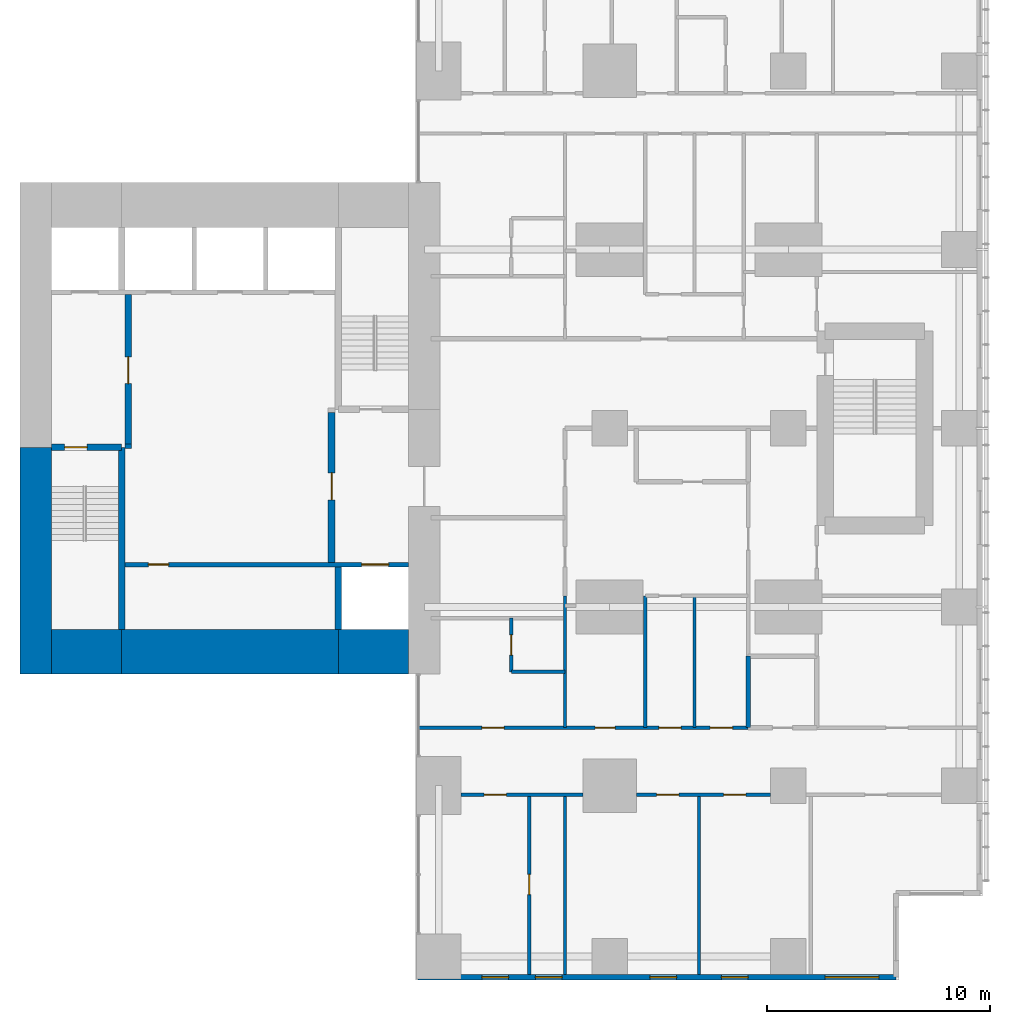
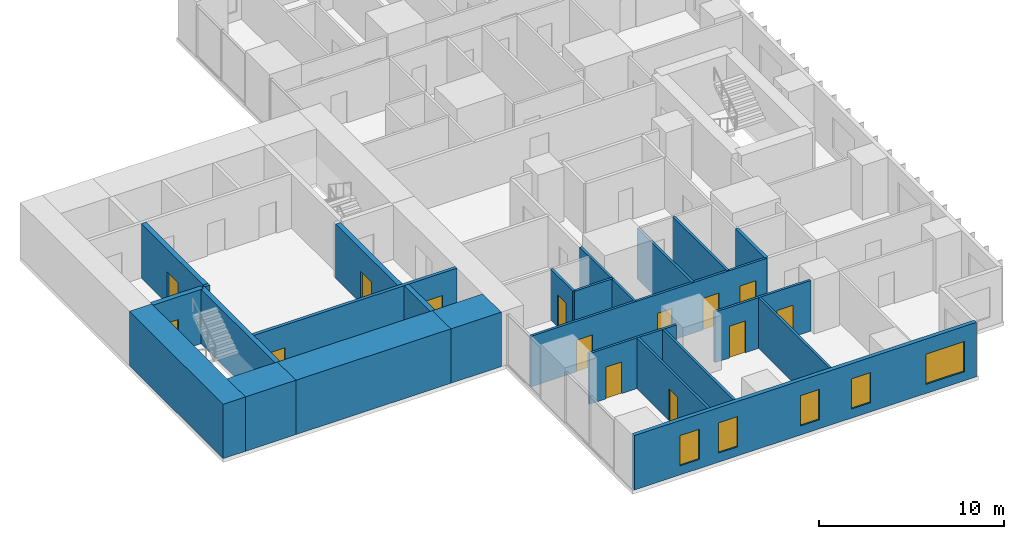
# One storey, part 7 of 12: 24 walls, 14 doors, 5 windows, 19 openings.
"""IFC4 building model written with IfcOpenShell, lengths in metres."""

from ifc_helpers import new_model, si_unit, direction, frame, frame_2d, origin, place, context, subcontext, project, spatial, rectangle, extrude, material, layer, layer_set, type_object, element, fill, save


model = new_model("IFC4")

# Units and contexts
model_context = context("Model", 3, precision=1e-05, world=origin(), true_north=direction((0.0, 1.0)))
body_context = subcontext(model_context, "Body", "Model", "MODEL_VIEW")
ifc_project = project(units=[si_unit("LENGTHUNIT", "METRE"), si_unit("AREAUNIT", "SQUARE_METRE"), si_unit("VOLUMEUNIT", "CUBIC_METRE"), si_unit("PLANEANGLEUNIT", "RADIAN"), si_unit("MASSUNIT", "GRAM", prefix="KILO")], contexts=[model_context])

# Site, building, storey
site_placement = place(None, origin())
site = spatial("IfcSite", under=ifc_project, at=site_placement, CompositionType="ELEMENT")
building_placement = place(site_placement, origin())
building = spatial("IfcBuilding", under=site, at=building_placement, Name="Cleftline Residences", CompositionType="ELEMENT")
storey_placement = place(building_placement, frame((0.0, 0.0, 266.39990234375)))
storey = spatial("IfcBuildingStorey", under=building, at=storey_placement, Name="L70", CompositionType="ELEMENT", Elevation=266.39990234375)

# Walls
ifc_material_1 = material(Name="Concrete B70", Category="concrete")
ifc_layer_1 = layer(ifc_material_1, 1.39990234375)
ifc_layer_set_1 = layer_set([ifc_layer_1], Name="CORE WALL 1400")
wall_type_1 = type_object("IfcWallType", Name="CORE WALL 1400", PredefinedType="SHEAR", material=ifc_layer_set_1)
wall_1_placement = place(storey_placement, frame((24.300048828125, 13.0, 0.0), z_axis=(0.0, 0.0, 1.0), x_axis=(0.0, 1.0, 0.0)))
element("IfcWall", 1, at=wall_1_placement, inside=storey, type_object=wall_type_1, Name="Core wall W0", PredefinedType="SHEAR", context=body_context, shape_type="SweptSolid", body=[
    extrude(rectangle(XDim=10.14990234375, YDim=1.39990234375, at=frame_2d((5.074951171875, 0.0))), origin(), (0.0, 0.0, 1.0), 3.60009765625),
])
ifc_material_2 = material(Name="Concrete B70", Category="concrete")
ifc_layer_2 = layer(ifc_material_2, 2.0)
ifc_layer_set_2 = layer_set([ifc_layer_2], Name="CORE WALL 2000")
wall_type_2 = type_object("IfcWallType", Name="CORE WALL 2000", PredefinedType="SHEAR", material=ifc_layer_set_2)
wall_2_placement = place(storey_placement, frame((25.0, 14.0, 0.0), z_axis=(0.0, 0.0, 1.0), x_axis=(1.0, 0.0, 0.0)))
element("IfcWall", 2, at=wall_2_placement, inside=storey, type_object=wall_type_2, Name="Core wall S1", PredefinedType="SHEAR", context=body_context, shape_type="SweptSolid", body=[
    extrude(rectangle(XDim=3.14990234375, YDim=2.0, at=frame_2d((1.574951171875, 0.0))), origin(), (0.0, 0.0, 1.0), 3.60009765625),
])
wall_3_placement = place(storey_placement, frame((28.14990234375, 14.0, 0.0), z_axis=(0.0, 0.0, 1.0), x_axis=(1.0, 0.0, 0.0)))
element("IfcWall", 3, at=wall_3_placement, inside=storey, type_object=wall_type_2, Name="Core wall S2", PredefinedType="SHEAR", context=body_context, shape_type="SweptSolid", body=[
    extrude(rectangle(XDim=9.7001953125, YDim=2.0, at=frame_2d((4.85009765625, 0.0))), origin(), (0.0, 0.0, 1.0), 3.60009765625),
])
wall_4_placement = place(storey_placement, frame((37.85009765625, 14.0, 0.0), z_axis=(0.0, 0.0, 1.0), x_axis=(1.0, 0.0, 0.0)))
element("IfcWall", 4, at=wall_4_placement, inside=storey, type_object=wall_type_2, Name="Core wall S3", PredefinedType="SHEAR", context=body_context, shape_type="SweptSolid", body=[
    extrude(rectangle(XDim=3.14990234375, YDim=2.0, at=frame_2d((1.574951171875, 0.0))), origin(), (0.0, 0.0, 1.0), 3.60009765625),
])
ifc_material_3 = material(Name="Concrete B70", Category="concrete")
ifc_layer_3 = layer(ifc_material_3, 0.300048828125)
ifc_layer_set_3 = layer_set([ifc_layer_3], Name="CORE WALL 300")
wall_type_3 = type_object("IfcWallType", Name="CORE WALL 300", PredefinedType="SHEAR", material=ifc_layer_set_3)
wall_5_placement = place(storey_placement, frame((28.14990234375, 15.0, 0.0), z_axis=(0.0, 0.0, 1.0), x_axis=(0.0, 1.0, 0.0)))
element("IfcWall", 5, at=wall_5_placement, inside=storey, type_object=wall_type_3, Name="Core wall SA-E", PredefinedType="SHEAR", context=body_context, shape_type="SweptSolid", body=[
    extrude(rectangle(XDim=8.14990234375, YDim=0.300048828125, at=frame_2d((4.074951171875, 0.0))), origin(), (0.0, 0.0, 1.0), 3.60009765625),
])

# Wall, opening, door
wall_6_placement = place(storey_placement, frame((25.0, 23.14990234375, 0.0), z_axis=(0.0, 0.0, 1.0), x_axis=(1.0, 0.0, 0.0)))
wall_6 = element("IfcWall", 6, at=wall_6_placement, inside=storey, type_object=wall_type_3, Name="Core wall SA-N", PredefinedType="SHEAR", context=body_context, shape_type="SweptSolid", body=[
    extrude(rectangle(XDim=3.14990234375, YDim=0.300048828125, at=frame_2d((1.574951171875, 0.0))), origin(), (0.0, 0.0, 1.0), 3.60009765625),
])
opening_1_placement = place(wall_6_placement, frame((0.60009765625, 0.0, 0.0)))
opening_1 = element("IfcOpeningElement", 7, at=opening_1_placement, cuts=wall_6, Name="Opening D5", PredefinedType="OPENING", context=body_context, shape_type="SweptSolid", body=[
    extrude(rectangle(XDim=1.0, YDim=2.10009765625, at=frame_2d((0.5, 1.050048828125))), frame((0.0, 0.159912109375, 0.0), z_axis=(0.0, -1.0, 0.0), x_axis=(1.0, 0.0, 0.0)), (0.0, 0.0, 1.0), 0.320068359375),
])
ifc_material_4 = material(Name="Steel", Category="steel")
door_type_1 = type_object("IfcDoorType", Name="STAIR DOOR 1000X2100", OperationType="SINGLE_SWING_LEFT", PredefinedType="DOOR", material=ifc_material_4)
door_1_placement = place(opening_1_placement, origin())
door_1 = element("IfcDoor", 8, at=door_1_placement, inside=storey, type_object=door_type_1, Name="Stair A door", OperationType="SINGLE_SWING_RIGHT", OverallHeight=2.10009765625, OverallWidth=1.0, PredefinedType="DOOR", context=body_context, shape_type="SweptSolid", body=[
    extrude(rectangle(XDim=1.0, YDim=2.10009765625, at=frame_2d((0.5, 1.050048828125))), frame((0.0, 0.02490234375, 0.0), z_axis=(0.0, -1.0, 0.0), x_axis=(1.0, 0.0, 0.0)), (0.0, 0.0, 1.0), 0.050048828125),
])
fill(opening_1, door_1)

# Wall
wall_7_placement = place(storey_placement, frame((37.85009765625, 15.0, 0.0), z_axis=(0.0, 0.0, 1.0), x_axis=(0.0, 1.0, 0.0)))
element("IfcWall", 9, at=wall_7_placement, inside=storey, type_object=wall_type_3, Name="Lift shaft wall", PredefinedType="SHEAR", context=body_context, shape_type="SweptSolid", body=[
    extrude(rectangle(XDim=2.800048828125, YDim=0.300048828125, at=frame_2d((1.39990234375, 0.0))), origin(), (0.0, 0.0, 1.0), 3.60009765625),
])

# Wall, openings, windows
ifc_material_5 = material(Name="Rendered reinforced concrete blockwork", Category="masonry")
ifc_layer_4 = layer(ifc_material_5, 0.25)
ifc_layer_set_4 = layer_set([ifc_layer_4], Name="EXTERNAL WALL 250")
wall_type_4 = type_object("IfcWallType", Name="EXTERNAL WALL 250", PredefinedType="SOLIDWALL", material=ifc_layer_set_4)
wall_8_placement = place(storey_placement, frame((41.425048828125, -0.574951171875, 0.0), z_axis=(0.0, 0.0, 1.0), x_axis=(1.0, 0.0, 0.0)))
wall_8 = element("IfcWall", 10, at=wall_8_placement, inside=storey, type_object=wall_type_4, Name="External wall", PredefinedType="SOLIDWALL", context=body_context, shape_type="SweptSolid", body=[
    extrude(rectangle(XDim=21.39990234375, YDim=0.25, at=frame_2d((10.699951171875, 0.0))), origin(), (0.0, 0.0, 1.0), 3.60009765625),
])
opening_2_placement = place(wall_8_placement, frame((2.85009765625, 0.0, 0.60009765625)))
opening_2 = element("IfcOpeningElement", 11, at=opening_2_placement, cuts=wall_8, Name="Opening W8", PredefinedType="OPENING", context=body_context, shape_type="SweptSolid", body=[
    extrude(rectangle(XDim=1.199951171875, YDim=2.0, at=frame_2d((0.60009765625, 1.0))), frame((0.0, 0.135009765625, 0.0), z_axis=(0.0, -1.0, 0.0), x_axis=(1.0, 0.0, 0.0)), (0.0, 0.0, 1.0), 0.27001953125),
])
opening_3_placement = place(wall_8_placement, frame((5.25, 0.0, 0.60009765625)))
opening_3 = element("IfcOpeningElement", 12, at=opening_3_placement, cuts=wall_8, Name="Opening W8", PredefinedType="OPENING", context=body_context, shape_type="SweptSolid", body=[
    extrude(rectangle(XDim=1.199951171875, YDim=2.0, at=frame_2d((0.60009765625, 1.0))), frame((0.0, 0.135009765625, 0.0), z_axis=(0.0, -1.0, 0.0), x_axis=(1.0, 0.0, 0.0)), (0.0, 0.0, 1.0), 0.27001953125),
])
opening_4_placement = place(wall_8_placement, frame((10.375, 0.0, 0.60009765625)))
opening_4 = element("IfcOpeningElement", 13, at=opening_4_placement, cuts=wall_8, Name="Opening W8", PredefinedType="OPENING", context=body_context, shape_type="SweptSolid", body=[
    extrude(rectangle(XDim=1.199951171875, YDim=2.0, at=frame_2d((0.60009765625, 1.0))), frame((0.0, 0.135009765625, 0.0), z_axis=(0.0, -1.0, 0.0), x_axis=(1.0, 0.0, 0.0)), (0.0, 0.0, 1.0), 0.27001953125),
])
opening_5_placement = place(wall_8_placement, frame((13.574951171875, 0.0, 0.60009765625)))
opening_5 = element("IfcOpeningElement", 14, at=opening_5_placement, cuts=wall_8, Name="Opening W8", PredefinedType="OPENING", context=body_context, shape_type="SweptSolid", body=[
    extrude(rectangle(XDim=1.199951171875, YDim=2.0, at=frame_2d((0.60009765625, 1.0))), frame((0.0, 0.135009765625, 0.0), z_axis=(0.0, -1.0, 0.0), x_axis=(1.0, 0.0, 0.0)), (0.0, 0.0, 1.0), 0.27001953125),
])
opening_6_placement = place(wall_8_placement, frame((18.22509765625, 0.0, 0.60009765625)))
opening_6 = element("IfcOpeningElement", 15, at=opening_6_placement, cuts=wall_8, Name="Opening W6", PredefinedType="OPENING", context=body_context, shape_type="SweptSolid", body=[
    extrude(rectangle(XDim=2.39990234375, YDim=2.0, at=frame_2d((1.199951171875, 1.0))), frame((0.0, 0.135009765625, 0.0), z_axis=(0.0, -1.0, 0.0), x_axis=(1.0, 0.0, 0.0)), (0.0, 0.0, 1.0), 0.27001953125),
])
ifc_material_6 = material(Name="Aluminium frame, clear double glazing", Category="aluminium")
window_type_1 = type_object("IfcWindowType", Name="WINDOW 1200X2000", PartitioningType="DOUBLE_PANEL_VERTICAL", PredefinedType="WINDOW", material=ifc_material_6)
window_1_placement = place(opening_2_placement, origin())
window_1 = element("IfcWindow", 16, at=window_1_placement, inside=storey, type_object=window_type_1, Name="Window", OverallHeight=2.0, OverallWidth=1.199951171875, PartitioningType="SINGLE_PANEL", PredefinedType="WINDOW", context=body_context, shape_type="SweptSolid", body=[
    extrude(rectangle(XDim=1.199951171875, YDim=2.0, at=frame_2d((0.60009765625, 1.0))), frame((0.0, 0.030029296875, 0.0), z_axis=(0.0, -1.0, 0.0), x_axis=(1.0, 0.0, 0.0)), (0.0, 0.0, 1.0), 0.06005859375),
])
fill(opening_2, window_1)
window_2_placement = place(opening_3_placement, origin())
window_2 = element("IfcWindow", 17, at=window_2_placement, inside=storey, type_object=window_type_1, Name="Window", OverallHeight=2.0, OverallWidth=1.199951171875, PartitioningType="SINGLE_PANEL", PredefinedType="WINDOW", context=body_context, shape_type="SweptSolid", body=[
    extrude(rectangle(XDim=1.199951171875, YDim=2.0, at=frame_2d((0.60009765625, 1.0))), frame((0.0, 0.030029296875, 0.0), z_axis=(0.0, -1.0, 0.0), x_axis=(1.0, 0.0, 0.0)), (0.0, 0.0, 1.0), 0.06005859375),
])
fill(opening_3, window_2)
window_3_placement = place(opening_4_placement, origin())
window_3 = element("IfcWindow", 18, at=window_3_placement, inside=storey, type_object=window_type_1, Name="Window", OverallHeight=2.0, OverallWidth=1.199951171875, PartitioningType="SINGLE_PANEL", PredefinedType="WINDOW", context=body_context, shape_type="SweptSolid", body=[
    extrude(rectangle(XDim=1.199951171875, YDim=2.0, at=frame_2d((0.60009765625, 1.0))), frame((0.0, 0.030029296875, 0.0), z_axis=(0.0, -1.0, 0.0), x_axis=(1.0, 0.0, 0.0)), (0.0, 0.0, 1.0), 0.06005859375),
])
fill(opening_4, window_3)
window_4_placement = place(opening_5_placement, origin())
window_4 = element("IfcWindow", 19, at=window_4_placement, inside=storey, type_object=window_type_1, Name="Window", OverallHeight=2.0, OverallWidth=1.199951171875, PartitioningType="SINGLE_PANEL", PredefinedType="WINDOW", context=body_context, shape_type="SweptSolid", body=[
    extrude(rectangle(XDim=1.199951171875, YDim=2.0, at=frame_2d((0.60009765625, 1.0))), frame((0.0, 0.030029296875, 0.0), z_axis=(0.0, -1.0, 0.0), x_axis=(1.0, 0.0, 0.0)), (0.0, 0.0, 1.0), 0.06005859375),
])
fill(opening_5, window_4)
ifc_material_7 = material(Name="Aluminium frame, clear double glazing", Category="aluminium")
window_type_2 = type_object("IfcWindowType", Name="WINDOW 2400X2000", PartitioningType="DOUBLE_PANEL_VERTICAL", PredefinedType="WINDOW", material=ifc_material_7)
window_5_placement = place(opening_6_placement, origin())
window_5 = element("IfcWindow", 20, at=window_5_placement, inside=storey, type_object=window_type_2, Name="Window", OverallHeight=2.0, OverallWidth=2.39990234375, PartitioningType="SINGLE_PANEL", PredefinedType="WINDOW", context=body_context, shape_type="SweptSolid", body=[
    extrude(rectangle(XDim=2.39990234375, YDim=2.0, at=frame_2d((1.199951171875, 1.0))), frame((0.0, 0.030029296875, 0.0), z_axis=(0.0, -1.0, 0.0), x_axis=(1.0, 0.0, 0.0)), (0.0, 0.0, 1.0), 0.06005859375),
])
fill(opening_6, window_5)

# Walls
ifc_material_8 = material(Name="Concrete blockwork, fire rated", Category="masonry")
ifc_layer_5 = layer(ifc_material_8, 0.199951171875)
ifc_layer_set_5 = layer_set([ifc_layer_5], Name="FIRE WALL 200")
wall_type_5 = type_object("IfcWallType", Name="FIRE WALL 200", PredefinedType="PARTITIONING", material=ifc_layer_set_5)
wall_9_placement = place(storey_placement, frame((56.199951171875, 10.60009765625, 0.0), z_axis=(0.0, 0.0, 1.0), x_axis=(0.0, 1.0, 0.0)))
element("IfcWall", 21, at=wall_9_placement, inside=storey, type_object=wall_type_5, Name="Fire separating wall", PredefinedType="PARTITIONING", context=body_context, shape_type="SweptSolid", body=[
    extrude(rectangle(XDim=3.199951171875, YDim=0.199951171875, at=frame_2d((1.60009765625, 0.0))), origin(), (0.0, 0.0, 1.0), 3.35009765625),
])
wall_10_placement = place(storey_placement, frame((28.300048828125, 23.199951171875, 0.0), z_axis=(0.0, 0.0, 1.0), x_axis=(1.0, 0.0, 0.0)))
element("IfcWall", 22, at=wall_10_placement, inside=storey, type_object=wall_type_5, Name="Fire separating wall", PredefinedType="PARTITIONING", context=body_context, shape_type="SweptSolid", body=[
    extrude(rectangle(XDim=0.300048828125, YDim=0.199951171875, at=frame_2d((0.14990234375, 0.0))), origin(), (0.0, 0.0, 1.0), 3.60009765625),
])

# Wall, opening, door
ifc_material_9 = material(Name="Gypsum board on steel studs", Category="steel")
ifc_layer_6 = layer(ifc_material_9, 0.14990234375)
ifc_layer_set_6 = layer_set([ifc_layer_6], Name="PARTITION 150")
wall_type_6 = type_object("IfcWallType", Name="PARTITION 150", PredefinedType="PARTITIONING", material=ifc_layer_set_6)
wall_11_placement = place(storey_placement, frame((43.35009765625, 7.60009765625, 0.0), z_axis=(0.0, 0.0, 1.0), x_axis=(1.0, 0.0, 0.0)))
wall_11 = element("IfcWall", 23, at=wall_11_placement, inside=storey, type_object=wall_type_6, Name="Partition", PredefinedType="PARTITIONING", context=body_context, shape_type="SweptSolid", body=[
    extrude(rectangle(XDim=5.449951171875, YDim=0.14990234375, at=frame_2d((2.72509765625, 0.0))), origin(), (0.0, 0.0, 1.0), 3.35009765625),
])
opening_7_placement = place(wall_11_placement, frame((1.02490234375, 0.0, 0.0)))
opening_7 = element("IfcOpeningElement", 24, at=opening_7_placement, cuts=wall_11, Name="Opening D2", PredefinedType="OPENING", context=body_context, shape_type="SweptSolid", body=[
    extrude(rectangle(XDim=1.0, YDim=2.10009765625, at=frame_2d((0.5, 1.050048828125))), frame((0.0, 0.0849609375, 0.0), z_axis=(0.0, -1.0, 0.0), x_axis=(1.0, 0.0, 0.0)), (0.0, 0.0, 1.0), 0.169921875),
])
ifc_material_10 = material(Name="Timber veneer on solid core", Category="wood")
door_type_2 = type_object("IfcDoorType", Name="DOOR 1000X2100", OperationType="SINGLE_SWING_LEFT", PredefinedType="DOOR", material=ifc_material_10)
door_2_placement = place(opening_7_placement, origin())
door_2 = element("IfcDoor", 25, at=door_2_placement, inside=storey, type_object=door_type_2, Name="Door to show kitchen", OperationType="SINGLE_SWING_RIGHT", OverallHeight=2.10009765625, OverallWidth=1.0, PredefinedType="DOOR", context=body_context, shape_type="SweptSolid", body=[
    extrude(rectangle(XDim=1.0, YDim=2.10009765625, at=frame_2d((0.5, 1.050048828125))), frame((0.0, 0.02490234375, 0.0), z_axis=(0.0, -1.0, 0.0), x_axis=(1.0, 0.0, 0.0)), (0.0, 0.0, 1.0), 0.050048828125),
])
fill(opening_7, door_2)

# Wall, openings, doors
wall_12_placement = place(storey_placement, frame((51.199951171875, 7.60009765625, 0.0), z_axis=(0.0, 0.0, 1.0), x_axis=(1.0, 0.0, 0.0)))
wall_12 = element("IfcWall", 26, at=wall_12_placement, inside=storey, type_object=wall_type_6, Name="Partition", PredefinedType="PARTITIONING", context=body_context, shape_type="SweptSolid", body=[
    extrude(rectangle(XDim=6.0, YDim=0.14990234375, at=frame_2d((3.0, 0.0))), origin(), (0.0, 0.0, 1.0), 3.35009765625),
])
opening_8_placement = place(wall_12_placement, frame((3.89990234375, 0.0, 0.0)))
opening_8 = element("IfcOpeningElement", 27, at=opening_8_placement, cuts=wall_12, Name="Opening D2", PredefinedType="OPENING", context=body_context, shape_type="SweptSolid", body=[
    extrude(rectangle(XDim=1.0, YDim=2.10009765625, at=frame_2d((0.5, 1.050048828125))), frame((0.0, 0.0849609375, 0.0), z_axis=(0.0, -1.0, 0.0), x_axis=(1.0, 0.0, 0.0)), (0.0, 0.0, 1.0), 0.169921875),
])
opening_9_placement = place(wall_12_placement, frame((0.89990234375, 0.0, 0.0)))
opening_9 = element("IfcOpeningElement", 28, at=opening_9_placement, cuts=wall_12, Name="Opening D2", PredefinedType="OPENING", context=body_context, shape_type="SweptSolid", body=[
    extrude(rectangle(XDim=1.0, YDim=2.10009765625, at=frame_2d((0.5, 1.050048828125))), frame((0.0, 0.0849609375, 0.0), z_axis=(0.0, -1.0, 0.0), x_axis=(1.0, 0.0, 0.0)), (0.0, 0.0, 1.0), 0.169921875),
])
door_3_placement = place(opening_8_placement, origin())
door_3 = element("IfcDoor", 29, at=door_3_placement, inside=storey, type_object=door_type_2, Name="Door to formal living room", OperationType="SINGLE_SWING_LEFT", OverallHeight=2.10009765625, OverallWidth=1.0, PredefinedType="DOOR", context=body_context, shape_type="SweptSolid", body=[
    extrude(rectangle(XDim=1.0, YDim=2.10009765625, at=frame_2d((0.5, 1.050048828125))), frame((0.0, 0.02490234375, 0.0), z_axis=(0.0, -1.0, 0.0), x_axis=(1.0, 0.0, 0.0)), (0.0, 0.0, 1.0), 0.050048828125),
])
fill(opening_8, door_3)
door_4_placement = place(opening_9_placement, origin())
door_4 = element("IfcDoor", 30, at=door_4_placement, inside=storey, type_object=door_type_2, Name="Door to formal dining room", OperationType="SINGLE_SWING_RIGHT", OverallHeight=2.10009765625, OverallWidth=1.0, PredefinedType="DOOR", context=body_context, shape_type="SweptSolid", body=[
    extrude(rectangle(XDim=1.0, YDim=2.10009765625, at=frame_2d((0.5, 1.050048828125))), frame((0.0, 0.02490234375, 0.0), z_axis=(0.0, -1.0, 0.0), x_axis=(1.0, 0.0, 0.0)), (0.0, 0.0, 1.0), 0.050048828125),
])
fill(opening_9, door_4)

wall_13_placement = place(storey_placement, frame((41.43896484375, 10.60009765625, 0.0), z_axis=(0.0, 0.0, 1.0), x_axis=(1.0, 0.0, 0.0)))
wall_13 = element("IfcWall", 31, at=wall_13_placement, inside=storey, type_object=wall_type_6, Name="Partition", PredefinedType="PARTITIONING", context=body_context, shape_type="SweptSolid", body=[
    extrude(rectangle(XDim=14.760986328125, YDim=0.14990234375, at=frame_2d((7.38037109375, 0.0))), origin(), (0.0, 0.0, 1.0), 3.35009765625),
])
opening_10_placement = place(wall_13_placement, frame((10.760986328125, 0.0, 0.0)))
opening_10 = element("IfcOpeningElement", 32, at=opening_10_placement, cuts=wall_13, Name="Opening D2", PredefinedType="OPENING", context=body_context, shape_type="SweptSolid", body=[
    extrude(rectangle(XDim=1.0, YDim=2.10009765625, at=frame_2d((0.5, 1.050048828125))), frame((0.0, 0.0849609375, 0.0), z_axis=(0.0, -1.0, 0.0), x_axis=(1.0, 0.0, 0.0)), (0.0, 0.0, 1.0), 0.169921875),
])
opening_11_placement = place(wall_13_placement, frame((13.06103515625, 0.0, 0.0)))
opening_11 = element("IfcOpeningElement", 33, at=opening_11_placement, cuts=wall_13, Name="Opening D2", PredefinedType="OPENING", context=body_context, shape_type="SweptSolid", body=[
    extrude(rectangle(XDim=1.0, YDim=2.10009765625, at=frame_2d((0.5, 1.050048828125))), frame((0.0, 0.0849609375, 0.0), z_axis=(0.0, -1.0, 0.0), x_axis=(1.0, 0.0, 0.0)), (0.0, 0.0, 1.0), 0.169921875),
])
opening_12_placement = place(wall_13_placement, frame((7.910888671875, 0.0, 0.0)))
opening_12 = element("IfcOpeningElement", 34, at=opening_12_placement, cuts=wall_13, Name="Opening D1", PredefinedType="OPENING", context=body_context, shape_type="SweptSolid", body=[
    extrude(rectangle(XDim=0.89990234375, YDim=2.10009765625, at=frame_2d((0.449951171875, 1.050048828125))), frame((0.0, 0.0849609375, 0.0), z_axis=(0.0, -1.0, 0.0), x_axis=(1.0, 0.0, 0.0)), (0.0, 0.0, 1.0), 0.169921875),
])
opening_13_placement = place(wall_13_placement, frame((2.8359375, 0.0, 0.0)))
opening_13 = element("IfcOpeningElement", 35, at=opening_13_placement, cuts=wall_13, Name="Opening D2", PredefinedType="OPENING", context=body_context, shape_type="SweptSolid", body=[
    extrude(rectangle(XDim=1.0, YDim=2.10009765625, at=frame_2d((0.5, 1.050048828125))), frame((0.0, 0.0849609375, 0.0), z_axis=(0.0, -1.0, 0.0), x_axis=(1.0, 0.0, 0.0)), (0.0, 0.0, 1.0), 0.169921875),
])
door_5_placement = place(opening_10_placement, origin())
door_5 = element("IfcDoor", 36, at=door_5_placement, inside=storey, type_object=door_type_2, Name="Door to residence hall", OperationType="SINGLE_SWING_LEFT", OverallHeight=2.10009765625, OverallWidth=1.0, PredefinedType="DOOR", context=body_context, shape_type="SweptSolid", body=[
    extrude(rectangle(XDim=1.0, YDim=2.10009765625, at=frame_2d((0.5, 1.050048828125))), frame((0.0, 0.02490234375, 0.0), z_axis=(0.0, -1.0, 0.0), x_axis=(1.0, 0.0, 0.0)), (0.0, 0.0, 1.0), 0.050048828125),
])
fill(opening_10, door_5)
door_6_placement = place(opening_11_placement, origin())
door_6 = element("IfcDoor", 37, at=door_6_placement, inside=storey, type_object=door_type_2, Name="Door to wet kitchen", OperationType="SINGLE_SWING_LEFT", OverallHeight=2.10009765625, OverallWidth=1.0, PredefinedType="DOOR", context=body_context, shape_type="SweptSolid", body=[
    extrude(rectangle(XDim=1.0, YDim=2.10009765625, at=frame_2d((0.5, 1.050048828125))), frame((0.0, 0.02490234375, 0.0), z_axis=(0.0, -1.0, 0.0), x_axis=(1.0, 0.0, 0.0)), (0.0, 0.0, 1.0), 0.050048828125),
])
fill(opening_11, door_6)
door_7_placement = place(opening_13_placement, origin())
door_7 = element("IfcDoor", 38, at=door_7_placement, inside=storey, type_object=door_type_2, Name="Door to staff bedroom", OperationType="SINGLE_SWING_RIGHT", OverallHeight=2.10009765625, OverallWidth=1.0, PredefinedType="DOOR", context=body_context, shape_type="SweptSolid", body=[
    extrude(rectangle(XDim=1.0, YDim=2.10009765625, at=frame_2d((0.5, 1.050048828125))), frame((0.0, 0.02490234375, 0.0), z_axis=(0.0, -1.0, 0.0), x_axis=(1.0, 0.0, 0.0)), (0.0, 0.0, 1.0), 0.050048828125),
])
fill(opening_13, door_7)
ifc_material_11 = material(Name="Timber veneer on solid core", Category="wood")
door_type_3 = type_object("IfcDoorType", Name="DOOR 900X2100", OperationType="SINGLE_SWING_LEFT", PredefinedType="DOOR", material=ifc_material_11)
door_8_placement = place(opening_12_placement, origin())
door_8 = element("IfcDoor", 39, at=door_8_placement, inside=storey, type_object=door_type_3, Name="Door to pantry", OperationType="SINGLE_SWING_LEFT", OverallHeight=2.10009765625, OverallWidth=0.89990234375, PredefinedType="DOOR", context=body_context, shape_type="SweptSolid", body=[
    extrude(rectangle(XDim=0.89990234375, YDim=2.10009765625, at=frame_2d((0.449951171875, 1.050048828125))), frame((0.0, 0.02490234375, 0.0), z_axis=(0.0, -1.0, 0.0), x_axis=(1.0, 0.0, 0.0)), (0.0, 0.0, 1.0), 0.050048828125),
])
fill(opening_12, door_8)

# Wall
wall_14_placement = place(storey_placement, frame((45.60009765625, 13.10009765625, 0.0), z_axis=(0.0, 0.0, 1.0), x_axis=(1.0, 0.0, 0.0)))
element("IfcWall", 40, at=wall_14_placement, inside=storey, type_object=wall_type_6, Name="Partition", PredefinedType="PARTITIONING", context=body_context, shape_type="SweptSolid", body=[
    extrude(rectangle(XDim=2.39990234375, YDim=0.14990234375, at=frame_2d((1.199951171875, 0.0))), origin(), (0.0, 0.0, 1.0), 3.35009765625),
])

# Wall, opening, door
wall_15_placement = place(storey_placement, frame((45.60009765625, 13.10009765625, 0.0), z_axis=(0.0, 0.0, 1.0), x_axis=(0.0, 1.0, 0.0)))
wall_15 = element("IfcWall", 41, at=wall_15_placement, inside=storey, type_object=wall_type_6, Name="Partition", PredefinedType="PARTITIONING", context=body_context, shape_type="SweptSolid", body=[
    extrude(rectangle(XDim=2.39990234375, YDim=0.14990234375, at=frame_2d((1.199951171875, 0.0))), origin(), (0.0, 0.0, 1.0), 3.35009765625),
])
opening_14_placement = place(wall_15_placement, frame((0.75, 0.0, 0.0)))
opening_14 = element("IfcOpeningElement", 42, at=opening_14_placement, cuts=wall_15, Name="Opening D1", PredefinedType="OPENING", context=body_context, shape_type="SweptSolid", body=[
    extrude(rectangle(XDim=0.89990234375, YDim=2.10009765625, at=frame_2d((0.449951171875, 1.050048828125))), frame((0.0, 0.0849609375, 0.0), z_axis=(0.0, -1.0, 0.0), x_axis=(1.0, 0.0, 0.0)), (0.0, 0.0, 1.0), 0.169921875),
])
door_9_placement = place(opening_14_placement, origin())
door_9 = element("IfcDoor", 43, at=door_9_placement, inside=storey, type_object=door_type_3, Name="Door to staff shower room", OperationType="SINGLE_SWING_LEFT", OverallHeight=2.10009765625, OverallWidth=0.89990234375, PredefinedType="DOOR", context=body_context, shape_type="SweptSolid", body=[
    extrude(rectangle(XDim=0.89990234375, YDim=2.10009765625, at=frame_2d((0.449951171875, 1.050048828125))), frame((0.0, 0.02490234375, 0.0), z_axis=(0.0, -1.0, 0.0), x_axis=(1.0, 0.0, 0.0)), (0.0, 0.0, 1.0), 0.050048828125),
])
fill(opening_14, door_9)

wall_16_placement = place(storey_placement, frame((46.39990234375, -0.449951171875, 0.0), z_axis=(0.0, 0.0, 1.0), x_axis=(0.0, 1.0, 0.0)))
wall_16 = element("IfcWall", 44, at=wall_16_placement, inside=storey, type_object=wall_type_6, Name="Partition", PredefinedType="PARTITIONING", context=body_context, shape_type="SweptSolid", body=[
    extrude(rectangle(XDim=8.050048828125, YDim=0.14990234375, at=frame_2d((4.02490234375, 0.0))), origin(), (0.0, 0.0, 1.0), 3.35009765625),
])
opening_15_placement = place(wall_16_placement, frame((3.574951171875, 0.0, 0.0)))
opening_15 = element("IfcOpeningElement", 45, at=opening_15_placement, cuts=wall_16, Name="Opening D1", PredefinedType="OPENING", context=body_context, shape_type="SweptSolid", body=[
    extrude(rectangle(XDim=0.89990234375, YDim=2.10009765625, at=frame_2d((0.449951171875, 1.050048828125))), frame((0.0, 0.0849609375, 0.0), z_axis=(0.0, -1.0, 0.0), x_axis=(1.0, 0.0, 0.0)), (0.0, 0.0, 1.0), 0.169921875),
])
door_10_placement = place(opening_15_placement, origin())
door_10 = element("IfcDoor", 46, at=door_10_placement, inside=storey, type_object=door_type_3, Name="Door to larder", OperationType="SINGLE_SWING_LEFT", OverallHeight=2.10009765625, OverallWidth=0.89990234375, PredefinedType="DOOR", context=body_context, shape_type="SweptSolid", body=[
    extrude(rectangle(XDim=0.89990234375, YDim=2.10009765625, at=frame_2d((0.449951171875, 1.050048828125))), frame((0.0, 0.02490234375, 0.0), z_axis=(0.0, -1.0, 0.0), x_axis=(1.0, 0.0, 0.0)), (0.0, 0.0, 1.0), 0.050048828125),
])
fill(opening_15, door_10)

# Walls
wall_17_placement = place(storey_placement, frame((48.0, -0.449951171875, 0.0), z_axis=(0.0, 0.0, 1.0), x_axis=(0.0, 1.0, 0.0)))
element("IfcWall", 47, at=wall_17_placement, inside=storey, type_object=wall_type_6, Name="Partition", PredefinedType="PARTITIONING", context=body_context, shape_type="SweptSolid", body=[
    extrude(rectangle(XDim=8.050048828125, YDim=0.14990234375, at=frame_2d((4.02490234375, 0.0))), origin(), (0.0, 0.0, 1.0), 3.35009765625),
])
for number, where, z_axis, x_axis, name in (
    (48, (48.0, 10.60009765625, 0.0), (0.0, 0.0, 1.0), (0.0, 1.0, 0.0), "Partition"),
    (49, (51.60009765625, 10.60009765625, 0.0), (0.0, 0.0, 1.0), (0.0, 1.0, 0.0), "Partition"),
    (50, (53.800048828125, 10.60009765625, 0.0), (0.0, 0.0, 1.0), (0.0, 1.0, 0.0), "Partition"),
):
    element("IfcWall", number, at=place(storey_placement, frame(where, z_axis=z_axis, x_axis=x_axis)), inside=storey, type_object=wall_type_6, Name=name, PredefinedType="PARTITIONING", context=body_context, shape_type="SweptSolid", body=[
        extrude(rectangle(XDim=5.89990234375, YDim=0.14990234375, at=frame_2d((2.949951171875, 0.0))), origin(), (0.0, 0.0, 1.0), 3.35009765625),
    ])
wall_18_placement = place(storey_placement, frame((54.0, -0.449951171875, 0.0), z_axis=(0.0, 0.0, 1.0), x_axis=(0.0, 1.0, 0.0)))
element("IfcWall", 51, at=wall_18_placement, inside=storey, type_object=wall_type_6, Name="Partition", PredefinedType="PARTITIONING", context=body_context, shape_type="SweptSolid", body=[
    extrude(rectangle(XDim=8.050048828125, YDim=0.14990234375, at=frame_2d((4.02490234375, 0.0))), origin(), (0.0, 0.0, 1.0), 3.35009765625),
])

# Wall, openings, doors
ifc_material_12 = material(Name="Concrete blockwork, fire rated", Category="masonry")
ifc_layer_7 = layer(ifc_material_12, 0.199951171875)
ifc_layer_set_7 = layer_set([ifc_layer_7], Name="SHAFT WALL 200")
wall_type_7 = type_object("IfcWallType", Name="SHAFT WALL 200", PredefinedType="PARTITIONING", material=ifc_layer_set_7)
wall_19_placement = place(storey_placement, frame((28.300048828125, 17.89990234375, 0.0), z_axis=(0.0, 0.0, 1.0), x_axis=(1.0, 0.0, 0.0)))
wall_19 = element("IfcWall", 52, at=wall_19_placement, inside=storey, type_object=wall_type_7, Name="Core room wall", PredefinedType="PARTITIONING", context=body_context, shape_type="SweptSolid", body=[
    extrude(rectangle(XDim=12.699951171875, YDim=0.199951171875, at=frame_2d((6.35009765625, 0.0))), origin(), (0.0, 0.0, 1.0), 3.60009765625),
])
opening_16_placement = place(wall_19_placement, frame((1.050048828125, 0.0, 0.0)))
opening_16 = element("IfcOpeningElement", 53, at=opening_16_placement, cuts=wall_19, Name="Opening D1F30", PredefinedType="OPENING", context=body_context, shape_type="SweptSolid", body=[
    extrude(rectangle(XDim=0.89990234375, YDim=2.10009765625, at=frame_2d((0.449951171875, 1.050048828125))), frame((0.0, 0.10986328125, 0.0), z_axis=(0.0, -1.0, 0.0), x_axis=(1.0, 0.0, 0.0)), (0.0, 0.0, 1.0), 0.219970703125),
])
opening_17_placement = place(wall_19_placement, frame((10.60009765625, 0.0, 0.0)))
opening_17 = element("IfcOpeningElement", 54, at=opening_17_placement, cuts=wall_19, Name="Opening LD2", PredefinedType="OPENING", context=body_context, shape_type="SweptSolid", body=[
    extrude(rectangle(XDim=1.199951171875, YDim=2.10009765625, at=frame_2d((0.60009765625, 1.050048828125))), frame((0.0, 0.10986328125, 0.0), z_axis=(0.0, -1.0, 0.0), x_axis=(1.0, 0.0, 0.0)), (0.0, 0.0, 1.0), 0.219970703125),
])
ifc_material_13 = material(Name="Timber veneer on solid core", Category="wood")
door_type_4 = type_object("IfcDoorType", Name="DOOR 900X2100 EI 30", OperationType="SINGLE_SWING_LEFT", PredefinedType="DOOR", material=ifc_material_13)
door_11_placement = place(opening_16_placement, origin())
door_11 = element("IfcDoor", 55, at=door_11_placement, inside=storey, type_object=door_type_4, Name="Door to maintenance store", OperationType="SINGLE_SWING_RIGHT", OverallHeight=2.10009765625, OverallWidth=0.89990234375, PredefinedType="DOOR", context=body_context, shape_type="SweptSolid", body=[
    extrude(rectangle(XDim=0.89990234375, YDim=2.10009765625, at=frame_2d((0.449951171875, 1.050048828125))), frame((0.0, 0.02490234375, 0.0), z_axis=(0.0, -1.0, 0.0), x_axis=(1.0, 0.0, 0.0)), (0.0, 0.0, 1.0), 0.050048828125),
])
fill(opening_16, door_11)
ifc_material_14 = material(Name="Steel", Category="steel")
door_type_5 = type_object("IfcDoorType", Name="FIREFIGHTING LIFT LANDING DOOR 1200X2100", OperationType="SLIDING_TO_LEFT", PredefinedType="DOOR", material=ifc_material_14)
door_12_placement = place(opening_17_placement, origin())
door_12 = element("IfcDoor", 56, at=door_12_placement, inside=storey, type_object=door_type_5, Name="Lift FL2 landing door", OperationType="SLIDING_TO_LEFT", OverallHeight=2.10009765625, OverallWidth=1.199951171875, PredefinedType="DOOR", context=body_context, shape_type="SweptSolid", body=[
    extrude(rectangle(XDim=1.199951171875, YDim=2.10009765625, at=frame_2d((0.60009765625, 1.050048828125))), frame((0.0, 0.02490234375, 0.0), z_axis=(0.0, -1.0, 0.0), x_axis=(1.0, 0.0, 0.0)), (0.0, 0.0, 1.0), 0.050048828125),
])
fill(opening_17, door_12)

# Wall, opening, door
ifc_material_15 = material(Name="Concrete blockwork, fire rated", Category="masonry")
ifc_layer_8 = layer(ifc_material_15, 0.300048828125)
ifc_layer_set_8 = layer_set([ifc_layer_8], Name="STAIR LOBBY WALL 300")
wall_type_8 = type_object("IfcWallType", Name="STAIR LOBBY WALL 300", PredefinedType="PARTITIONING", material=ifc_layer_set_8)
wall_20_placement = place(storey_placement, frame((28.449951171875, 23.300048828125, 0.0), z_axis=(0.0, 0.0, 1.0), x_axis=(0.0, 1.0, 0.0)))
wall_20 = element("IfcWall", 57, at=wall_20_placement, inside=storey, type_object=wall_type_8, Name="Stair and lobby wall FA-E", PredefinedType="PARTITIONING", context=body_context, shape_type="SweptSolid", body=[
    extrude(rectangle(XDim=6.699951171875, YDim=0.300048828125, at=frame_2d((3.35009765625, 0.0))), origin(), (0.0, 0.0, 1.0), 3.60009765625),
])
opening_18_placement = place(wall_20_placement, frame((2.699951171875, 0.0, 0.0)))
opening_18 = element("IfcOpeningElement", 58, at=opening_18_placement, cuts=wall_20, Name="Opening D6", PredefinedType="OPENING", context=body_context, shape_type="SweptSolid", body=[
    extrude(rectangle(XDim=1.199951171875, YDim=2.10009765625, at=frame_2d((0.60009765625, 1.050048828125))), frame((0.0, 0.159912109375, 0.0), z_axis=(0.0, -1.0, 0.0), x_axis=(1.0, 0.0, 0.0)), (0.0, 0.0, 1.0), 0.320068359375),
])
ifc_material_16 = material(Name="Steel", Category="steel")
door_type_6 = type_object("IfcDoorType", Name="LOBBY DOOR 1200X2100", OperationType="SINGLE_SWING_RIGHT", PredefinedType="DOOR", material=ifc_material_16)
door_13_placement = place(opening_18_placement, origin())
door_13 = element("IfcDoor", 59, at=door_13_placement, inside=storey, type_object=door_type_6, Name="Firefighting lobby A door", OperationType="SINGLE_SWING_RIGHT", OverallHeight=2.10009765625, OverallWidth=1.199951171875, PredefinedType="DOOR", context=body_context, shape_type="SweptSolid", body=[
    extrude(rectangle(XDim=1.199951171875, YDim=2.10009765625, at=frame_2d((0.60009765625, 1.050048828125))), frame((0.0, 0.02490234375, 0.0), z_axis=(0.0, -1.0, 0.0), x_axis=(1.0, 0.0, 0.0)), (0.0, 0.0, 1.0), 0.050048828125),
])
fill(opening_18, door_13)

wall_21_placement = place(storey_placement, frame((37.550048828125, 18.0, 0.0), z_axis=(0.0, 0.0, 1.0), x_axis=(0.0, 1.0, 0.0)))
wall_21 = element("IfcWall", 60, at=wall_21_placement, inside=storey, type_object=wall_type_8, Name="Stair and lobby wall FB-W", PredefinedType="PARTITIONING", context=body_context, shape_type="SweptSolid", body=[
    extrude(rectangle(XDim=6.699951171875, YDim=0.300048828125, at=frame_2d((3.35009765625, 0.0))), origin(), (0.0, 0.0, 1.0), 3.60009765625),
])
opening_19_placement = place(wall_21_placement, frame((2.800048828125, 0.0, 0.0)))
opening_19 = element("IfcOpeningElement", 61, at=opening_19_placement, cuts=wall_21, Name="Opening D6", PredefinedType="OPENING", context=body_context, shape_type="SweptSolid", body=[
    extrude(rectangle(XDim=1.199951171875, YDim=2.10009765625, at=frame_2d((0.60009765625, 1.050048828125))), frame((0.0, 0.159912109375, 0.0), z_axis=(0.0, -1.0, 0.0), x_axis=(1.0, 0.0, 0.0)), (0.0, 0.0, 1.0), 0.320068359375),
])
door_14_placement = place(opening_19_placement, origin())
door_14 = element("IfcDoor", 62, at=door_14_placement, inside=storey, type_object=door_type_6, Name="Firefighting lobby B door", OperationType="SINGLE_SWING_LEFT", OverallHeight=2.10009765625, OverallWidth=1.199951171875, PredefinedType="DOOR", context=body_context, shape_type="SweptSolid", body=[
    extrude(rectangle(XDim=1.199951171875, YDim=2.10009765625, at=frame_2d((0.60009765625, 1.050048828125))), frame((0.0, 0.02490234375, 0.0), z_axis=(0.0, -1.0, 0.0), x_axis=(1.0, 0.0, 0.0)), (0.0, 0.0, 1.0), 0.050048828125),
])
fill(opening_19, door_14)

save(model, "model.ifc")
